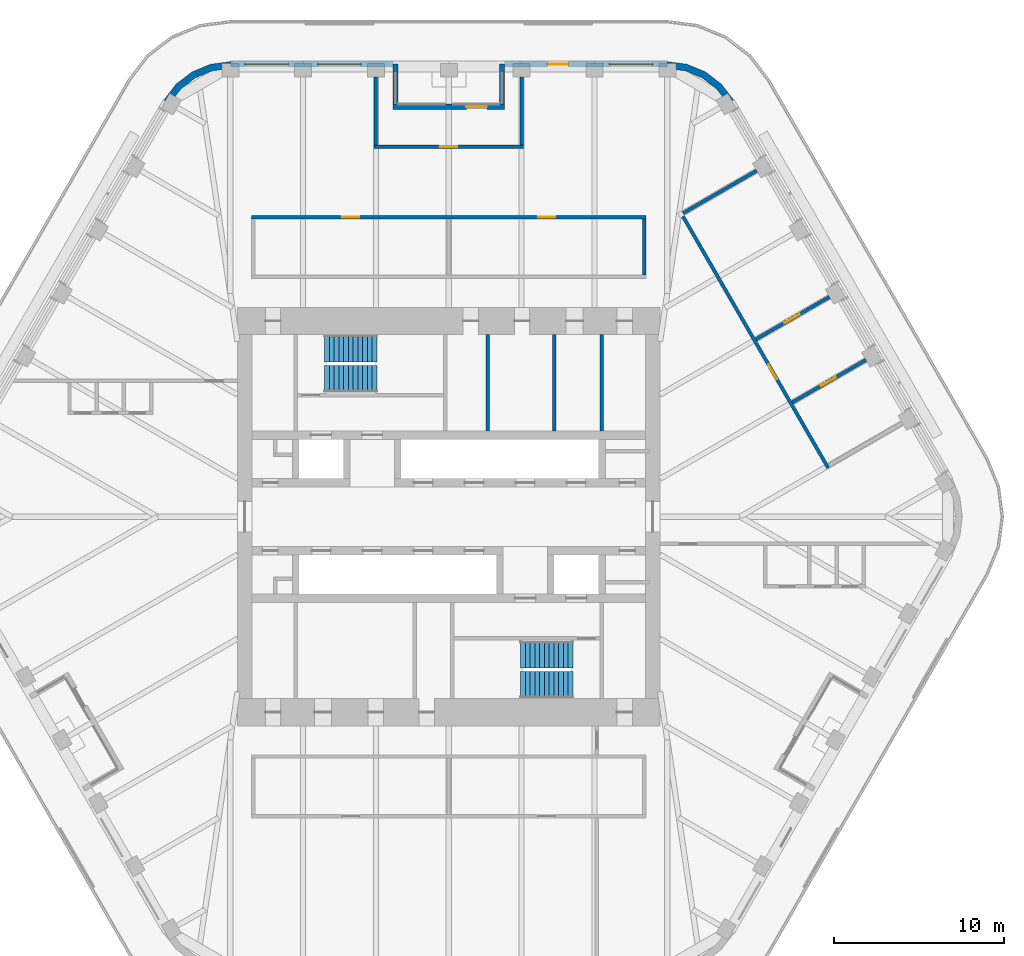
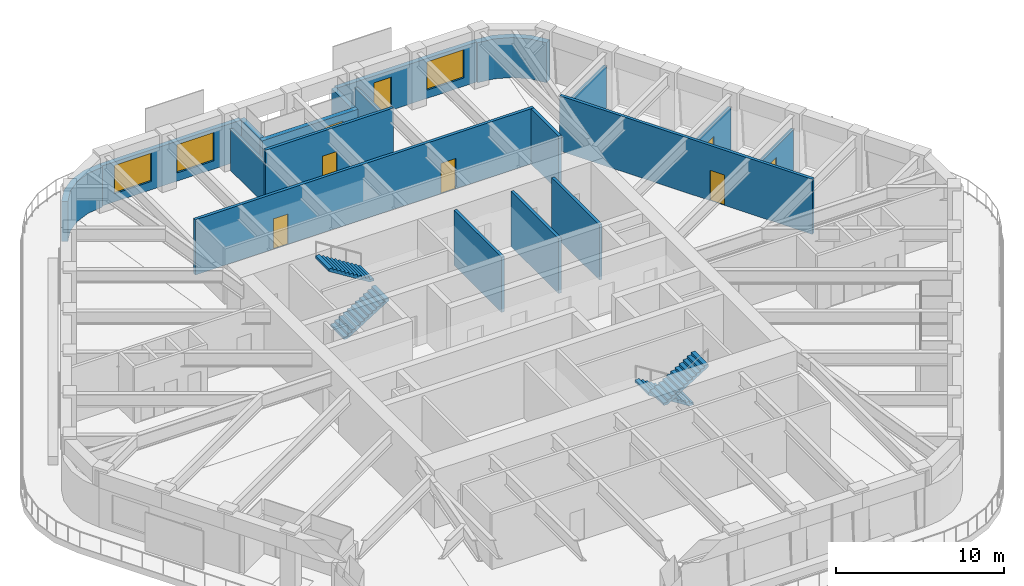
# One storey, part 16 of 19: 19 walls, 8 doors, 4 stair flights, 3 windows, 11 openings, 2 elements without a shape of their own.
"""IFC4 building model written with IfcOpenShell, lengths in metres."""

from ifc_helpers import new_model, si_unit, direction, frame, frame_2d, origin, place, context, subcontext, project, spatial, polyline, rectangle, outline, extrude, material, layer, layer_set, type_object, element, fill, aggregate, save


model = new_model("IFC4")

# Units and contexts
model_context = context("Model", 3, precision=1e-05, world=origin(), true_north=direction((0.0, 1.0)))
body_context = subcontext(model_context, "Body", "Model", "MODEL_VIEW")
ifc_project = project(units=[si_unit("LENGTHUNIT", "METRE"), si_unit("AREAUNIT", "SQUARE_METRE"), si_unit("VOLUMEUNIT", "CUBIC_METRE"), si_unit("PLANEANGLEUNIT", "RADIAN"), si_unit("MASSUNIT", "GRAM", prefix="KILO")], contexts=[model_context])

# Site, building, storey
site_placement = place(None, origin())
site = spatial("IfcSite", under=ifc_project, at=site_placement, CompositionType="ELEMENT")
building_placement = place(site_placement, origin())
building = spatial("IfcBuilding", under=site, at=building_placement, Name="Tarfa Lantern Tower", CompositionType="ELEMENT")
storey_placement = place(building_placement, frame((0.0, 0.0, 349.300048828125)))
storey = spatial("IfcBuildingStorey", under=building, at=storey_placement, Name="L79", CompositionType="ELEMENT", Elevation=349.300048828125)

# Wall, openings, door, window
ifc_material_1 = material(Name="Limestone cladding on blockwork", Category="masonry")
ifc_layer_1 = layer(ifc_material_1, 0.300048828125)
ifc_layer_set_1 = layer_set([ifc_layer_1], Name="EW1 STONE-CLAD WALL 300")
wall_type_1 = type_object("IfcWallType", Name="EW1 STONE-CLAD WALL 300", PredefinedType="SOLIDWALL", material=ifc_layer_set_1)
wall_1_placement = place(storey_placement, frame((12.845947265625, 26.60009765625, 0.0), z_axis=(0.0, 0.0, 1.0), x_axis=(-1.0, 0.0, 0.0)))
wall_1 = element("IfcWall", 1, at=wall_1_placement, inside=storey, type_object=wall_type_1, Name="Stone wall N", PredefinedType="SOLIDWALL", context=body_context, shape_type="SweptSolid", body=[
    extrude(rectangle(XDim=9.56396484375, YDim=0.300048828125, at=frame_2d((4.781982421875, 0.0))), origin(), (0.0, 0.0, 1.0), 2.89990234375),
])
opening_1_placement = place(wall_1_placement, frame((0.865966796875, 0.0, 0.60009765625)))
opening_1 = element("IfcOpeningElement", 2, at=opening_1_placement, cuts=wall_1, Name="Opening W17", PredefinedType="OPENING", context=body_context, shape_type="SweptSolid", body=[
    extrude(rectangle(XDim=2.550048828125, YDim=2.050048828125, at=frame_2d((1.27490234375, 1.02490234375))), frame((0.0, 0.159912109375, 0.0), z_axis=(0.0, -1.0, 0.0), x_axis=(1.0, 0.0, 0.0)), (0.0, 0.0, 1.0), 0.320068359375),
])
opening_2_placement = place(wall_1_placement, frame((5.822998046875, 0.0, 0.0)))
opening_2 = element("IfcOpeningElement", 3, at=opening_2_placement, cuts=wall_1, Name="Opening D38", PredefinedType="OPENING", context=body_context, shape_type="SweptSolid", body=[
    extrude(rectangle(XDim=1.199951171875, YDim=2.39990234375, at=frame_2d((0.60009765625, 1.199951171875))), frame((0.0, 0.159912109375, 0.0), z_axis=(0.0, -1.0, 0.0), x_axis=(1.0, 0.0, 0.0)), (0.0, 0.0, 1.0), 0.320068359375),
])
ifc_material_2 = material(Name="Aluminium framed glazed door", Category="aluminium")
door_type_1 = type_object("IfcDoorType", Name="BE3 BALCONY DOOR 1200x2400", OperationType="SINGLE_SWING_RIGHT", PredefinedType="DOOR", material=ifc_material_2)
door_1_placement = place(opening_2_placement, origin())
door_1 = element("IfcDoor", 4, at=door_1_placement, inside=storey, type_object=door_type_1, Name="Balcony door N", OperationType="SINGLE_SWING_LEFT", OverallHeight=2.39990234375, OverallWidth=1.199951171875, PredefinedType="DOOR", context=body_context, shape_type="SweptSolid", body=[
    extrude(rectangle(XDim=1.199951171875, YDim=2.39990234375, at=frame_2d((0.60009765625, 1.199951171875))), frame((0.0, 0.02490234375, 0.0), z_axis=(0.0, -1.0, 0.0), x_axis=(1.0, 0.0, 0.0)), (0.0, 0.0, 1.0), 0.050048828125),
])
fill(opening_2, door_1)
ifc_material_3 = material(Name="Aluminium frame, double glazed", Category="aluminium")
window_type = type_object("IfcWindowType", Name="W17 FULL-HEIGHT GLAZING 2550x2050", PartitioningType="SINGLE_PANEL", PredefinedType="WINDOW", material=ifc_material_3)
window_1_placement = place(opening_1_placement, origin())
window_1 = element("IfcWindow", 5, at=window_1_placement, inside=storey, type_object=window_type, Name="Window N 1", OverallHeight=2.050048828125, OverallWidth=2.550048828125, PartitioningType="SINGLE_PANEL", PredefinedType="WINDOW", context=body_context, shape_type="SweptSolid", body=[
    extrude(rectangle(XDim=2.550048828125, YDim=2.050048828125, at=frame_2d((1.27490234375, 1.02490234375))), frame((0.0, 0.030029296875, 0.0), z_axis=(0.0, -1.0, 0.0), x_axis=(1.0, 0.0, 0.0)), (0.0, 0.0, 1.0), 0.06005859375),
])
fill(opening_1, window_1)

# Wall, openings, windows
wall_2_placement = place(storey_placement, frame((-3.281982421875, 26.60009765625, 0.0), z_axis=(0.0, 0.0, 1.0), x_axis=(-1.0, 0.0, 0.0)))
wall_2 = element("IfcWall", 6, at=wall_2_placement, inside=storey, type_object=wall_type_1, Name="Stone wall NB", PredefinedType="SOLIDWALL", context=body_context, shape_type="SweptSolid", body=[
    extrude(rectangle(XDim=9.56396484375, YDim=0.300048828125, at=frame_2d((4.781982421875, 0.0))), origin(), (0.0, 0.0, 1.0), 2.89990234375),
])
opening_3_placement = place(wall_2_placement, frame((1.865966796875, 0.0, 0.60009765625)))
opening_3 = element("IfcOpeningElement", 7, at=opening_3_placement, cuts=wall_2, Name="Opening W17", PredefinedType="OPENING", context=body_context, shape_type="SweptSolid", body=[
    extrude(rectangle(XDim=2.550048828125, YDim=2.050048828125, at=frame_2d((1.27490234375, 1.02490234375))), frame((0.0, 0.159912109375, 0.0), z_axis=(0.0, -1.0, 0.0), x_axis=(1.0, 0.0, 0.0)), (0.0, 0.0, 1.0), 0.320068359375),
])
opening_4_placement = place(wall_2_placement, frame((6.14794921875, 0.0, 0.60009765625)))
opening_4 = element("IfcOpeningElement", 8, at=opening_4_placement, cuts=wall_2, Name="Opening W17", PredefinedType="OPENING", context=body_context, shape_type="SweptSolid", body=[
    extrude(rectangle(XDim=2.550048828125, YDim=2.050048828125, at=frame_2d((1.27490234375, 1.02490234375))), frame((0.0, 0.159912109375, 0.0), z_axis=(0.0, -1.0, 0.0), x_axis=(1.0, 0.0, 0.0)), (0.0, 0.0, 1.0), 0.320068359375),
])
window_2_placement = place(opening_3_placement, origin())
window_2 = element("IfcWindow", 9, at=window_2_placement, inside=storey, type_object=window_type, Name="Window NB 1", OverallHeight=2.050048828125, OverallWidth=2.550048828125, PartitioningType="SINGLE_PANEL", PredefinedType="WINDOW", context=body_context, shape_type="SweptSolid", body=[
    extrude(rectangle(XDim=2.550048828125, YDim=2.050048828125, at=frame_2d((1.27490234375, 1.02490234375))), frame((0.0, 0.030029296875, 0.0), z_axis=(0.0, -1.0, 0.0), x_axis=(1.0, 0.0, 0.0)), (0.0, 0.0, 1.0), 0.06005859375),
])
fill(opening_3, window_2)
window_3_placement = place(opening_4_placement, origin())
window_3 = element("IfcWindow", 10, at=window_3_placement, inside=storey, type_object=window_type, Name="Window NB 2", OverallHeight=2.050048828125, OverallWidth=2.550048828125, PartitioningType="SINGLE_PANEL", PredefinedType="WINDOW", context=body_context, shape_type="SweptSolid", body=[
    extrude(rectangle(XDim=2.550048828125, YDim=2.050048828125, at=frame_2d((1.27490234375, 1.02490234375))), frame((0.0, 0.030029296875, 0.0), z_axis=(0.0, -1.0, 0.0), x_axis=(1.0, 0.0, 0.0)), (0.0, 0.0, 1.0), 0.06005859375),
])
fill(opening_4, window_3)

# Walls
for number, where, z_axis, x_axis, name in (
    (11, (3.132080078125, 26.60009765625, 0.0), (0.0, 0.0, 1.0), (0.0, -1.0, 0.0), "Terrace return N 1"),
    (12, (-3.132080078125, 26.60009765625, 0.0), (0.0, 0.0, 1.0), (0.0, -1.0, 0.0), "Terrace return N 2"),
):
    element("IfcWall", number, at=place(storey_placement, frame(where, z_axis=z_axis, x_axis=x_axis)), inside=storey, type_object=wall_type_1, Name=name, PredefinedType="SOLIDWALL", context=body_context, shape_type="SweptSolid", body=[
        extrude(rectangle(XDim=2.35009765625, YDim=0.300048828125, at=frame_2d((1.175048828125, 0.0))), origin(), (0.0, 0.0, 1.0), 2.89990234375),
    ])

# Wall, opening, door
wall_3_placement = place(storey_placement, frame((3.281982421875, 24.10009765625, 0.0), z_axis=(0.0, 0.0, 1.0), x_axis=(-1.0, 0.0, 0.0)))
wall_3 = element("IfcWall", 13, at=wall_3_placement, inside=storey, type_object=wall_type_1, Name="Stone wall NS", PredefinedType="SOLIDWALL", context=body_context, shape_type="SweptSolid", body=[
    extrude(rectangle(XDim=6.56396484375, YDim=0.300048828125, at=frame_2d((3.281982421875, 0.0))), origin(), (0.0, 0.0, 1.0), 2.89990234375),
])
opening_5_placement = place(wall_3_placement, frame((1.041015625, 0.0, 0.0)))
opening_5 = element("IfcOpeningElement", 14, at=opening_5_placement, cuts=wall_3, Name="Opening D39", PredefinedType="OPENING", context=body_context, shape_type="SweptSolid", body=[
    extrude(rectangle(XDim=1.199951171875, YDim=2.39990234375, at=frame_2d((0.60009765625, 1.199951171875))), frame((0.0, 0.159912109375, 0.0), z_axis=(0.0, -1.0, 0.0), x_axis=(1.0, 0.0, 0.0)), (0.0, 0.0, 1.0), 0.320068359375),
])
door_2_placement = place(opening_5_placement, origin())
door_2 = element("IfcDoor", 15, at=door_2_placement, inside=storey, type_object=door_type_1, Name="Balcony door NS", OperationType="SINGLE_SWING_RIGHT", OverallHeight=2.39990234375, OverallWidth=1.199951171875, PredefinedType="DOOR", context=body_context, shape_type="SweptSolid", body=[
    extrude(rectangle(XDim=1.199951171875, YDim=2.39990234375, at=frame_2d((0.60009765625, 1.199951171875))), frame((0.0, 0.02490234375, 0.0), z_axis=(0.0, -1.0, 0.0), x_axis=(1.0, 0.0, 0.0)), (0.0, 0.0, 1.0), 0.050048828125),
])
fill(opening_5, door_2)

# Walls
ifc_layer_2 = layer(ifc_material_1, 0.39990234375)
ifc_layer_set_2 = layer_set([ifc_layer_2], Name="EW2 CURVED STONE CORNER 400")
wall_type_2 = type_object("IfcWallType", Name="EW2 CURVED STONE CORNER 400", PredefinedType="SOLIDWALL", material=ifc_layer_set_2)
wall_4_placement = place(storey_placement, origin())
element("IfcWall", 16, at=wall_4_placement, inside=storey, type_object=wall_type_2, Name="Stone corner NE-N", PredefinedType="SOLIDWALL", context=body_context, shape_type="SweptSolid", body=[
    extrude(outline(polyline([(16.7431640625, 24.5), (16.028076171875, 25.431884765625), (15.095947265625, 26.147216796875), (14.0107421875, 26.5966796875), (12.845947265625, 26.75), (12.845947265625, 26.35009765625), (13.9072265625, 26.210205078125), (14.89599609375, 25.80078125), (15.7451171875, 25.149169921875), (16.396728515625, 24.300048828125), (16.7431640625, 24.5)])), origin(), (0.0, 0.0, 1.0), 2.89990234375),
])
wall_5_placement = place(storey_placement, origin())
element("IfcWall", 17, at=wall_5_placement, inside=storey, type_object=wall_type_2, Name="Stone corner N-NW", PredefinedType="SOLIDWALL", context=body_context, shape_type="SweptSolid", body=[
    extrude(outline(polyline([(-12.845947265625, 26.75), (-14.0107421875, 26.5966796875), (-15.095947265625, 26.147216796875), (-16.028076171875, 25.431884765625), (-16.7431640625, 24.5), (-16.396728515625, 24.300048828125), (-15.7451171875, 25.149169921875), (-14.89599609375, 25.80078125), (-13.9072265625, 26.210205078125), (-12.845947265625, 26.35009765625), (-12.845947265625, 26.75)])), origin(), (0.0, 0.0, 1.0), 2.89990234375),
])
ifc_material_4 = material(Name="Concrete blockwork", Category="masonry")
ifc_layer_3 = layer(ifc_material_4, 0.199951171875)
ifc_layer_set_3 = layer_set([ifc_layer_3], Name="IW1 BLOCKWORK PARTITION 200 EI 120")
wall_type_3 = type_object("IfcWallType", Name="IW1 BLOCKWORK PARTITION 200 EI 120", PredefinedType="PARTITIONING", material=ifc_layer_set_3)
for number, where, z_axis, x_axis, name in (
    (18, (9.0, 5.050048828125, 0.0), (0.0, 0.0, 1.0), (0.0, 1.0, 0.0), "Core partition"),
    (19, (2.300048828125, 5.050048828125, 0.0), (0.0, 0.0, 1.0), (0.0, 1.0, 0.0), "Core partition"),
    (20, (6.199951171875, 5.050048828125, 0.0), (0.0, 0.0, 1.0), (0.0, 1.0, 0.0), "Core partition"),
):
    element("IfcWall", number, at=place(storey_placement, frame(where, z_axis=z_axis, x_axis=x_axis)), inside=storey, type_object=wall_type_3, Name=name, PredefinedType="PARTITIONING", context=body_context, shape_type="SweptSolid", body=[
        extrude(rectangle(XDim=5.64990234375, YDim=0.199951171875, at=frame_2d((2.824951171875, 0.0))), origin(), (0.0, 0.0, 1.0), 4.0),
    ])

# Wall, openings, doors
ifc_material_5 = material(Name="Gypsum board on steel studs", Category="steel")
ifc_layer_4 = layer(ifc_material_5, 0.2099609375)
ifc_layer_set_4 = layer_set([ifc_layer_4], Name="IW2 ACOUSTIC PARTITION 200")
wall_type_4 = type_object("IfcWallType", Name="IW2 ACOUSTIC PARTITION 200", PredefinedType="PARTITIONING", material=ifc_layer_set_4)
wall_6_placement = place(storey_placement, frame((-11.60009765625, 17.60009765625, 0.0), z_axis=(0.0, 0.0, 1.0), x_axis=(1.0, 0.0, 0.0)))
wall_6 = element("IfcWall", 21, at=wall_6_placement, inside=storey, type_object=wall_type_4, Name="Partition", PredefinedType="PARTITIONING", context=body_context, shape_type="SweptSolid", body=[
    extrude(rectangle(XDim=23.2001953125, YDim=0.199951171875, at=frame_2d((11.60009765625, 0.0))), origin(), (0.0, 0.0, 1.0), 4.0),
])
opening_6_placement = place(wall_6_placement, frame((5.35009765625, 0.0, 0.0)))
opening_6 = element("IfcOpeningElement", 22, at=opening_6_placement, cuts=wall_6, Name="Opening D25", PredefinedType="OPENING", context=body_context, shape_type="SweptSolid", body=[
    extrude(rectangle(XDim=1.0, YDim=2.199951171875, at=frame_2d((0.5, 1.10009765625))), frame((0.0, 0.10986328125, 0.0), z_axis=(0.0, -1.0, 0.0), x_axis=(1.0, 0.0, 0.0)), (0.0, 0.0, 1.0), 0.219970703125),
])
opening_7_placement = place(wall_6_placement, frame((16.85009765625, 0.0, 0.0)))
opening_7 = element("IfcOpeningElement", 23, at=opening_7_placement, cuts=wall_6, Name="Opening D26", PredefinedType="OPENING", context=body_context, shape_type="SweptSolid", body=[
    extrude(rectangle(XDim=1.0, YDim=2.199951171875, at=frame_2d((0.5, 1.10009765625))), frame((0.0, 0.10986328125, 0.0), z_axis=(0.0, -1.0, 0.0), x_axis=(1.0, 0.0, 0.0)), (0.0, 0.0, 1.0), 0.219970703125),
])
ifc_material_6 = material(Name="Timber door", Category="wood")
door_type_2 = type_object("IfcDoorType", Name="DR1 ROOM DOOR 1000x2200", OperationType="SINGLE_SWING_LEFT", PredefinedType="DOOR", material=ifc_material_6)
door_3_placement = place(opening_6_placement, frame((1.0, 0.0, 0.0), z_axis=(0.0, 0.0, 1.0), x_axis=(-1.0, 0.0, 0.0)))
door_3 = element("IfcDoor", 24, at=door_3_placement, inside=storey, type_object=door_type_2, Name="Meeting room door", OperationType="SINGLE_SWING_LEFT", OverallHeight=2.199951171875, OverallWidth=1.0, PredefinedType="DOOR", context=body_context, shape_type="SweptSolid", body=[
    extrude(rectangle(XDim=1.0, YDim=2.199951171875, at=frame_2d((0.5, 1.10009765625))), frame((0.0, 0.02490234375, 0.0), z_axis=(0.0, -1.0, 0.0), x_axis=(1.0, 0.0, 0.0)), (0.0, 0.0, 1.0), 0.050048828125),
])
fill(opening_6, door_3)
door_4_placement = place(opening_7_placement, frame((1.0, 0.0, 0.0), z_axis=(0.0, 0.0, 1.0), x_axis=(-1.0, 0.0, 0.0)))
door_4 = element("IfcDoor", 25, at=door_4_placement, inside=storey, type_object=door_type_2, Name="Pantry door", OperationType="SINGLE_SWING_RIGHT", OverallHeight=2.199951171875, OverallWidth=1.0, PredefinedType="DOOR", context=body_context, shape_type="SweptSolid", body=[
    extrude(rectangle(XDim=1.0, YDim=2.199951171875, at=frame_2d((0.5, 1.10009765625))), frame((0.0, 0.02490234375, 0.0), z_axis=(0.0, -1.0, 0.0), x_axis=(1.0, 0.0, 0.0)), (0.0, 0.0, 1.0), 0.050048828125),
])
fill(opening_7, door_4)

# Wall
wall_7_placement = place(storey_placement, frame((11.5, 14.199951171875, 0.0), z_axis=(0.0, 0.0, 1.0), x_axis=(0.0, 1.0, 0.0)))
element("IfcWall", 26, at=wall_7_placement, inside=storey, type_object=wall_type_4, Name="Partition", PredefinedType="PARTITIONING", context=body_context, shape_type="SweptSolid", body=[
    extrude(rectangle(XDim=3.300048828125, YDim=0.199951171875, at=frame_2d((1.64990234375, 0.0))), origin(), (0.0, 0.0, 1.0), 4.0),
])

# Wall, opening, door
wall_8_placement = place(storey_placement, frame((4.382080078125, 21.75, 0.0), z_axis=(0.0, 0.0, 1.0), x_axis=(-1.0, 0.0, 0.0)))
wall_8 = element("IfcWall", 27, at=wall_8_placement, inside=storey, type_object=wall_type_4, Name="Partition", PredefinedType="PARTITIONING", context=body_context, shape_type="SweptSolid", body=[
    extrude(rectangle(XDim=8.76416015625, YDim=0.199951171875, at=frame_2d((4.382080078125, 0.0))), origin(), (0.0, 0.0, 1.0), 4.0),
])
opening_8_placement = place(wall_8_placement, frame((3.882080078125, 0.0, 0.0)))
opening_8 = element("IfcOpeningElement", 28, at=opening_8_placement, cuts=wall_8, Name="Opening D21", PredefinedType="OPENING", context=body_context, shape_type="SweptSolid", body=[
    extrude(rectangle(XDim=1.0, YDim=2.199951171875, at=frame_2d((0.5, 1.10009765625))), frame((0.0, 0.10986328125, 0.0), z_axis=(0.0, -1.0, 0.0), x_axis=(1.0, 0.0, 0.0)), (0.0, 0.0, 1.0), 0.219970703125),
])
door_5_placement = place(opening_8_placement, frame((1.0, 0.0, 0.0), z_axis=(0.0, 0.0, 1.0), x_axis=(-1.0, 0.0, 0.0)))
door_5 = element("IfcDoor", 29, at=door_5_placement, inside=storey, type_object=door_type_2, Name="Meeting room door", OperationType="SINGLE_SWING_LEFT", OverallHeight=2.199951171875, OverallWidth=1.0, PredefinedType="DOOR", context=body_context, shape_type="SweptSolid", body=[
    extrude(rectangle(XDim=1.0, YDim=2.199951171875, at=frame_2d((0.5, 1.10009765625))), frame((0.0, 0.02490234375, 0.0), z_axis=(0.0, -1.0, 0.0), x_axis=(1.0, 0.0, 0.0)), (0.0, 0.0, 1.0), 0.050048828125),
])
fill(opening_8, door_5)

# Walls
for number, where, z_axis, x_axis, name in (
    (30, (4.281982421875, 21.85009765625, 0.0), (0.0, 0.0, 1.0), (0.0, 1.0, 0.0), "Partition"),
    (31, (-4.281982421875, 21.85009765625, 0.0), (0.0, 0.0, 1.0), (0.0, 1.0, 0.0), "Partition"),
):
    element("IfcWall", number, at=place(storey_placement, frame(where, z_axis=z_axis, x_axis=x_axis)), inside=storey, type_object=wall_type_4, Name=name, PredefinedType="PARTITIONING", context=body_context, shape_type="SweptSolid", body=[
        extrude(rectangle(XDim=4.0, YDim=0.199951171875, at=frame_2d((2.0, 0.0))), origin(), (0.0, 0.0, 1.0), 2.991943359375),
    ])

# Wall, opening, door
wall_9_placement = place(storey_placement, frame((22.302001953125, 2.871826171875, 0.0), z_axis=(0.0, 0.0, 1.0), x_axis=(-0.500006217173, 0.866021814268, 0.0)))
wall_9 = element("IfcWall", 32, at=wall_9_placement, inside=storey, type_object=wall_type_4, Name="Partition", PredefinedType="PARTITIONING", context=body_context, shape_type="SweptSolid", body=[
    extrude(rectangle(XDim=17.327880859375, YDim=0.199951171875, at=frame_2d((8.6640625, 0.0))), origin(), (0.0, 0.0, 1.0), 4.0),
])
opening_9_placement = place(wall_9_placement, frame((6.02294921875, 0.0, 0.0)))
opening_9 = element("IfcOpeningElement", 33, at=opening_9_placement, cuts=wall_9, Name="Opening D23", PredefinedType="OPENING", context=body_context, shape_type="SweptSolid", body=[
    extrude(rectangle(XDim=1.0, YDim=2.199951171875, at=frame_2d((0.5, 1.10009765625))), frame((0.0, 0.10986328125, 0.0), z_axis=(0.0, -1.0, 0.0), x_axis=(1.0, 0.0, 0.0)), (0.0, 0.0, 1.0), 0.219970703125),
])
door_6_placement = place(opening_9_placement, frame((1.0, 0.0, 0.0), z_axis=(0.0, 0.0, 1.0), x_axis=(-1.0, 0.0, 0.0)))
door_6 = element("IfcDoor", 34, at=door_6_placement, inside=storey, type_object=door_type_2, Name="PA area door", OperationType="SINGLE_SWING_LEFT", OverallHeight=2.199951171875, OverallWidth=1.0, PredefinedType="DOOR", context=body_context, shape_type="SweptSolid", body=[
    extrude(rectangle(XDim=1.0, YDim=2.199951171875, at=frame_2d((0.5, 1.10009765625))), frame((0.0, 0.02490234375, 0.0), z_axis=(0.0, -1.0, 0.0), x_axis=(1.0, 0.0, 0.0)), (0.0, 0.0, 1.0), 0.050048828125),
])
fill(opening_9, door_6)

wall_10_placement = place(storey_placement, frame((20.19775390625, 6.716552734375, 0.0), z_axis=(0.0, 0.0, 1.0), x_axis=(0.866022959057, 0.500004234368, 0.0)))
wall_10 = element("IfcWall", 35, at=wall_10_placement, inside=storey, type_object=wall_type_4, Name="Partition", PredefinedType="PARTITIONING", context=body_context, shape_type="SweptSolid", body=[
    extrude(rectangle(XDim=5.0, YDim=0.199951171875, at=frame_2d((2.5, 0.0))), origin(), (0.0, 0.0, 1.0), 2.991943359375),
])
opening_10_placement = place(wall_10_placement, frame((1.949951171875, 0.0, 0.0)))
opening_10 = element("IfcOpeningElement", 36, at=opening_10_placement, cuts=wall_10, Name="Opening D22", PredefinedType="OPENING", context=body_context, shape_type="SweptSolid", body=[
    extrude(rectangle(XDim=1.0, YDim=2.199951171875, at=frame_2d((0.5, 1.10009765625))), frame((0.0, 0.10986328125, 0.0), z_axis=(0.0, -1.0, 0.0), x_axis=(1.0, 0.0, 0.0)), (0.0, 0.0, 1.0), 0.219970703125),
])
door_7_placement = place(opening_10_placement, frame((1.0, 0.0, 0.0), z_axis=(0.0, 0.0, 1.0), x_axis=(-1.0, 0.0, 0.0)))
door_7 = element("IfcDoor", 37, at=door_7_placement, inside=storey, type_object=door_type_2, Name="Executive office door", OperationType="SINGLE_SWING_LEFT", OverallHeight=2.199951171875, OverallWidth=1.0, PredefinedType="DOOR", context=body_context, shape_type="SweptSolid", body=[
    extrude(rectangle(XDim=1.0, YDim=2.199951171875, at=frame_2d((0.5, 1.10009765625))), frame((0.0, 0.02490234375, 0.0), z_axis=(0.0, -1.0, 0.0), x_axis=(1.0, 0.0, 0.0)), (0.0, 0.0, 1.0), 0.050048828125),
])
fill(opening_10, door_7)

wall_11_placement = place(storey_placement, frame((18.056640625, 10.425048828125, 0.0), z_axis=(0.0, 0.0, 1.0), x_axis=(0.866022959057, 0.500004234368, 0.0)))
wall_11 = element("IfcWall", 38, at=wall_11_placement, inside=storey, type_object=wall_type_4, Name="Partition", PredefinedType="PARTITIONING", context=body_context, shape_type="SweptSolid", body=[
    extrude(rectangle(XDim=5.0, YDim=0.199951171875, at=frame_2d((2.5, 0.0))), origin(), (0.0, 0.0, 1.0), 3.08154296875),
])
opening_11_placement = place(wall_11_placement, frame((1.949951171875, 0.0, 0.0)))
opening_11 = element("IfcOpeningElement", 39, at=opening_11_placement, cuts=wall_11, Name="Opening D24", PredefinedType="OPENING", context=body_context, shape_type="SweptSolid", body=[
    extrude(rectangle(XDim=1.0, YDim=2.199951171875, at=frame_2d((0.5, 1.10009765625))), frame((0.0, 0.10986328125, 0.0), z_axis=(0.0, -1.0, 0.0), x_axis=(1.0, 0.0, 0.0)), (0.0, 0.0, 1.0), 0.219970703125),
])
door_8_placement = place(opening_11_placement, frame((1.0, 0.0, 0.0), z_axis=(0.0, 0.0, 1.0), x_axis=(-1.0, 0.0, 0.0)))
door_8 = element("IfcDoor", 40, at=door_8_placement, inside=storey, type_object=door_type_2, Name="Executive meeting room door", OperationType="SINGLE_SWING_LEFT", OverallHeight=2.199951171875, OverallWidth=1.0, PredefinedType="DOOR", context=body_context, shape_type="SweptSolid", body=[
    extrude(rectangle(XDim=1.0, YDim=2.199951171875, at=frame_2d((0.5, 1.10009765625))), frame((0.0, 0.02490234375, 0.0), z_axis=(0.0, -1.0, 0.0), x_axis=(1.0, 0.0, 0.0)), (0.0, 0.0, 1.0), 0.050048828125),
])
fill(opening_11, door_8)

# Wall
wall_12_placement = place(storey_placement, frame((13.774658203125, 17.841552734375, 0.0), z_axis=(0.0, 0.0, 1.0), x_axis=(0.866022959057, 0.500004234368, 0.0)))
element("IfcWall", 41, at=wall_12_placement, inside=storey, type_object=wall_type_4, Name="Partition", PredefinedType="PARTITIONING", context=body_context, shape_type="SweptSolid", body=[
    extrude(rectangle(XDim=5.0, YDim=0.199951171875, at=frame_2d((2.5, 0.0))), origin(), (0.0, 0.0, 1.0), 3.08154296875),
])

# Stair, stair flights
ifc_material_7 = material(Name="Concrete C40/50", Category="concrete")
stair_type = type_object("IfcStairType", Name="ST-T10 HALF-TURN STAIR 4200 RISE", PredefinedType="HALF_TURN_STAIR", material=ifc_material_7)
stair_1_placement = place(storey_placement, origin())
stair_1 = element("IfcStair", 42, at=stair_1_placement, inside=storey, type_object=stair_type, Name="Stair ST1", PredefinedType="HALF_TURN_STAIR")
stair_flight_type = type_object("IfcStairFlightType", Name="SF1 STAIR FLIGHT", PredefinedType="STRAIGHT", material=ifc_material_7)
stair_flight_1_placement = place(storey_placement, frame((-7.300048828125, 8.10009765625, 0.0), z_axis=(0.0, 0.0, 1.0), x_axis=(1.0, 0.0, 0.0)))
stair_flight_1 = element("IfcStairFlight", 43, at=stair_flight_1_placement, type_object=stair_flight_type, Name="ST1 flight 1", NumberOfRisers=12, NumberOfTreads=11, PredefinedType="STRAIGHT", RiserHeight=0.175, TreadLength=0.28, context=body_context, shape_type="SweptSolid", body=[
    extrude(outline(polyline([(0.0, 0.0), (0.0, 0.175048828125), (0.280029296875, 0.175048828125), (0.280029296875, 0.35009765625), (0.56005859375, 0.35009765625), (0.56005859375, 0.52490234375), (0.840087890625, 0.52490234375), (0.840087890625, 0.699951171875), (1.1201171875, 0.699951171875), (1.1201171875, 0.875), (1.39990234375, 0.875), (1.39990234375, 1.050048828125), (1.679931640625, 1.050048828125), (1.679931640625, 1.22509765625), (1.9599609375, 1.22509765625), (1.9599609375, 1.39990234375), (2.239990234375, 1.39990234375), (2.239990234375, 1.574951171875), (2.52001953125, 1.574951171875), (2.52001953125, 1.75), (2.800048828125, 1.75), (2.800048828125, 1.925048828125), (3.080078125, 1.925048828125), (3.080078125, 2.10009765625), (3.080078125, 1.748291015625), (0.28271484375, 0.0), (0.0, 0.0)])), frame((0.0, 0.800048828125, 0.0), z_axis=(0.0, -1.0, 0.0), x_axis=(1.0, 0.0, 0.0)), (0.0, 0.0, 1.0), 1.60009765625),
])
stair_flight_2_placement = place(storey_placement, frame((-4.219970703125, 9.89990234375, 2.099853515625), z_axis=(0.0, 0.0, 1.0), x_axis=(-1.0, 0.0, 0.0)))
stair_flight_2 = element("IfcStairFlight", 44, at=stair_flight_2_placement, type_object=stair_flight_type, Name="ST1 flight 2", NumberOfRisers=12, NumberOfTreads=11, PredefinedType="STRAIGHT", RiserHeight=0.175, TreadLength=0.28, context=body_context, shape_type="SweptSolid", body=[
    extrude(outline(polyline([(0.0, 0.0), (0.0, 0.175048828125), (0.280029296875, 0.175048828125), (0.280029296875, 0.35009765625), (0.56005859375, 0.35009765625), (0.56005859375, 0.52490234375), (0.840087890625, 0.52490234375), (0.840087890625, 0.699951171875), (1.1201171875, 0.699951171875), (1.1201171875, 0.875), (1.39990234375, 0.875), (1.39990234375, 1.050048828125), (1.679931640625, 1.050048828125), (1.679931640625, 1.22509765625), (1.9599609375, 1.22509765625), (1.9599609375, 1.39990234375), (2.239990234375, 1.39990234375), (2.239990234375, 1.574951171875), (2.52001953125, 1.574951171875), (2.52001953125, 1.75), (2.800048828125, 1.75), (2.800048828125, 1.925048828125), (3.080078125, 1.925048828125), (3.080078125, 2.10009765625), (3.080078125, 1.748291015625), (0.28271484375, 0.0), (0.0, 0.0)])), frame((0.0, 0.800048828125, 0.0), z_axis=(0.0, -1.0, 0.0), x_axis=(1.0, 0.0, 0.0)), (0.0, 0.0, 1.0), 1.60009765625),
])
aggregate(stair_1, [stair_flight_1, stair_flight_2])

stair_2_placement = place(storey_placement, origin())
stair_2 = element("IfcStair", 45, at=stair_2_placement, inside=storey, type_object=stair_type, Name="Stair ST2", PredefinedType="HALF_TURN_STAIR")
stair_flight_3_placement = place(storey_placement, frame((7.300048828125, -8.10009765625, 0.0), z_axis=(0.0, 0.0, 1.0), x_axis=(-1.0, 0.0, 0.0)))
stair_flight_3 = element("IfcStairFlight", 46, at=stair_flight_3_placement, type_object=stair_flight_type, Name="ST2 flight 1", NumberOfRisers=12, NumberOfTreads=11, PredefinedType="STRAIGHT", RiserHeight=0.175, TreadLength=0.28, context=body_context, shape_type="SweptSolid", body=[
    extrude(outline(polyline([(0.0, 0.0), (0.0, 0.175048828125), (0.280029296875, 0.175048828125), (0.280029296875, 0.35009765625), (0.56005859375, 0.35009765625), (0.56005859375, 0.52490234375), (0.840087890625, 0.52490234375), (0.840087890625, 0.699951171875), (1.1201171875, 0.699951171875), (1.1201171875, 0.875), (1.39990234375, 0.875), (1.39990234375, 1.050048828125), (1.679931640625, 1.050048828125), (1.679931640625, 1.22509765625), (1.9599609375, 1.22509765625), (1.9599609375, 1.39990234375), (2.239990234375, 1.39990234375), (2.239990234375, 1.574951171875), (2.52001953125, 1.574951171875), (2.52001953125, 1.75), (2.800048828125, 1.75), (2.800048828125, 1.925048828125), (3.080078125, 1.925048828125), (3.080078125, 2.10009765625), (3.080078125, 1.748291015625), (0.28271484375, 0.0), (0.0, 0.0)])), frame((0.0, 0.800048828125, 0.0), z_axis=(0.0, -1.0, 0.0), x_axis=(1.0, 0.0, 0.0)), (0.0, 0.0, 1.0), 1.60009765625),
])
stair_flight_4_placement = place(storey_placement, frame((4.219970703125, -9.89990234375, 2.099853515625), z_axis=(0.0, 0.0, 1.0), x_axis=(1.0, 0.0, 0.0)))
stair_flight_4 = element("IfcStairFlight", 47, at=stair_flight_4_placement, type_object=stair_flight_type, Name="ST2 flight 2", NumberOfRisers=12, NumberOfTreads=11, PredefinedType="STRAIGHT", RiserHeight=0.175, TreadLength=0.28, context=body_context, shape_type="SweptSolid", body=[
    extrude(outline(polyline([(0.0, 0.0), (0.0, 0.175048828125), (0.280029296875, 0.175048828125), (0.280029296875, 0.35009765625), (0.56005859375, 0.35009765625), (0.56005859375, 0.52490234375), (0.840087890625, 0.52490234375), (0.840087890625, 0.699951171875), (1.1201171875, 0.699951171875), (1.1201171875, 0.875), (1.39990234375, 0.875), (1.39990234375, 1.050048828125), (1.679931640625, 1.050048828125), (1.679931640625, 1.22509765625), (1.9599609375, 1.22509765625), (1.9599609375, 1.39990234375), (2.239990234375, 1.39990234375), (2.239990234375, 1.574951171875), (2.52001953125, 1.574951171875), (2.52001953125, 1.75), (2.800048828125, 1.75), (2.800048828125, 1.925048828125), (3.080078125, 1.925048828125), (3.080078125, 2.10009765625), (3.080078125, 1.748291015625), (0.28271484375, 0.0), (0.0, 0.0)])), frame((0.0, 0.800048828125, 0.0), z_axis=(0.0, -1.0, 0.0), x_axis=(1.0, 0.0, 0.0)), (0.0, 0.0, 1.0), 1.60009765625),
])
aggregate(stair_2, [stair_flight_3, stair_flight_4])

save(model, "model.ifc")
